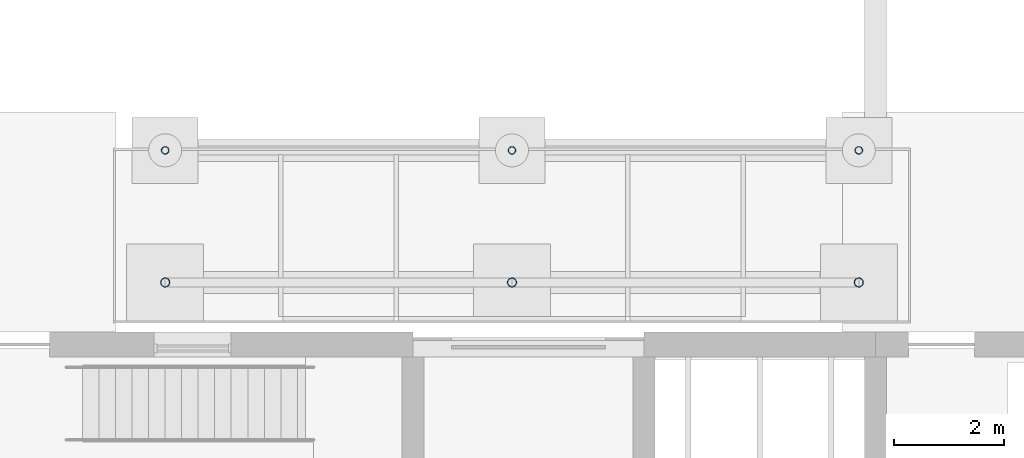
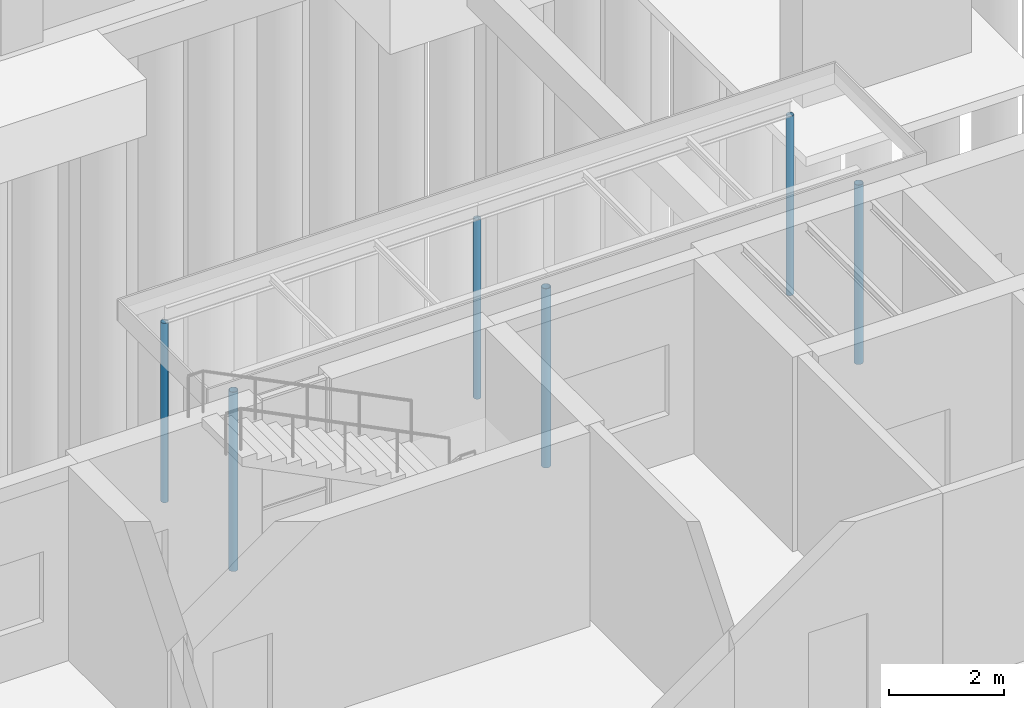
# One storey, part 5 of 138: 6 columns.
"""IFC4 building model written with IfcOpenShell, lengths in metres."""

from ifc_helpers import new_model, si_unit, direction, frame, origin, origin_2d, place, context, subcontext, project, spatial, hollow_circle, extrude, material, material_profile, profile_set, type_object, element, save


model = new_model("IFC4")

# Units and contexts
model_context = context("Model", 3, precision=1e-05, world=origin(), true_north=direction((0.0, 1.0)))
body_context = subcontext(model_context, "Body", "Model", "MODEL_VIEW")
ifc_project = project(units=[si_unit("LENGTHUNIT", "METRE"), si_unit("AREAUNIT", "SQUARE_METRE"), si_unit("VOLUMEUNIT", "CUBIC_METRE"), si_unit("PLANEANGLEUNIT", "RADIAN"), si_unit("MASSUNIT", "GRAM", prefix="KILO")], contexts=[model_context])

# Site, building, storey
site_placement = place(None, origin())
site = spatial("IfcSite", under=ifc_project, at=site_placement, CompositionType="ELEMENT")
building_placement = place(site_placement, origin())
building = spatial("IfcBuilding", under=site, at=building_placement, Name="Yavir Park General Hospital", CompositionType="ELEMENT")
storey_placement = place(building_placement, origin())
storey = spatial("IfcBuildingStorey", under=building, at=storey_placement, Name="L00", CompositionType="ELEMENT", Elevation=0.0)

# Columns
ifc_material_1 = material(Name="Steel S355", Category="steel")
ifc_material_profile_1 = material_profile(ifc_material_1, hollow_circle(Radius=0.06982421875, WallThickness=0.008056640625, at=origin_2d()), Name="CHS139.7x8")
ifc_profile_set_1 = profile_set([ifc_material_profile_1], Name="Steel S355")
column_type_1 = type_object("IfcColumnType", Name="CHS 139.7x8 outer column", PredefinedType="COLUMN", material=ifc_profile_set_1)
for number, where, z_axis, x_axis, name in (
    (1, (37.5, 37.199951171875, -0.300048828125), (0.0, 0.0, 1.0), (1.0, 0.0, 0.0), "C:ARC1:10"),
    (2, (43.800048828125, 37.199951171875, -0.300048828125), (0.0, 0.0, 1.0), (1.0, 0.0, 0.0), "C:ARC1:11"),
    (3, (50.10009765625, 37.199951171875, -0.300048828125), (0.0, 0.0, 1.0), (1.0, 0.0, 0.0), "C:ARC1:12"),
):
    element("IfcColumn", number, at=place(storey_placement, frame(where, z_axis=z_axis, x_axis=x_axis)), inside=storey, type_object=column_type_1, Name=name, PredefinedType="COLUMN", context=body_context, shape_type="SweptSolid", body=[
        extrude(hollow_circle(Radius=0.06982421875, WallThickness=0.008056640625, at=origin_2d()), origin(), (0.0, 0.0, 1.0), 3.820068359375),
    ])
ifc_material_2 = material(Name="Steel S355", Category="steel")
ifc_material_profile_2 = material_profile(ifc_material_2, hollow_circle(Radius=0.084228515625, WallThickness=0.008056640625, at=origin_2d()), Name="CHS168.3x8")
ifc_profile_set_2 = profile_set([ifc_material_profile_2], Name="Steel S355")
column_type_2 = type_object("IfcColumnType", Name="CHS 168.3x8 column", PredefinedType="COLUMN", material=ifc_profile_set_2)
for number, where, z_axis, x_axis, name in (
    (4, (37.5, 34.800048828125, -0.300048828125), (0.0, 0.0, 1.0), (1.0, 0.0, 0.0), "C:ARC1:00"),
    (5, (43.800048828125, 34.800048828125, -0.300048828125), (0.0, 0.0, 1.0), (1.0, 0.0, 0.0), "C:ARC1:01"),
    (6, (50.10009765625, 34.800048828125, -0.300048828125), (0.0, 0.0, 1.0), (1.0, 0.0, 0.0), "C:ARC1:02"),
):
    element("IfcColumn", number, at=place(storey_placement, frame(where, z_axis=z_axis, x_axis=x_axis)), inside=storey, type_object=column_type_2, Name=name, PredefinedType="COLUMN", context=body_context, shape_type="SweptSolid", body=[
        extrude(hollow_circle(Radius=0.084228515625, WallThickness=0.008056640625, at=origin_2d()), origin(), (0.0, 0.0, 1.0), 3.820068359375),
    ])

save(model, "model.ifc")
